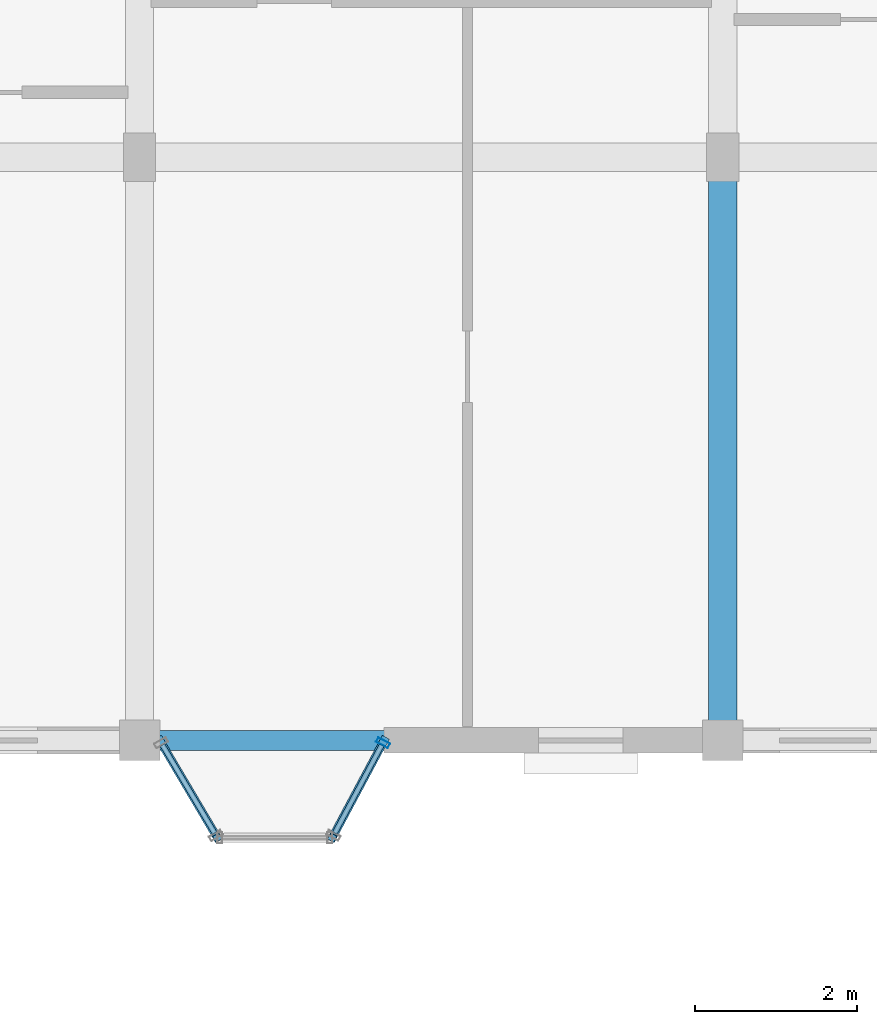
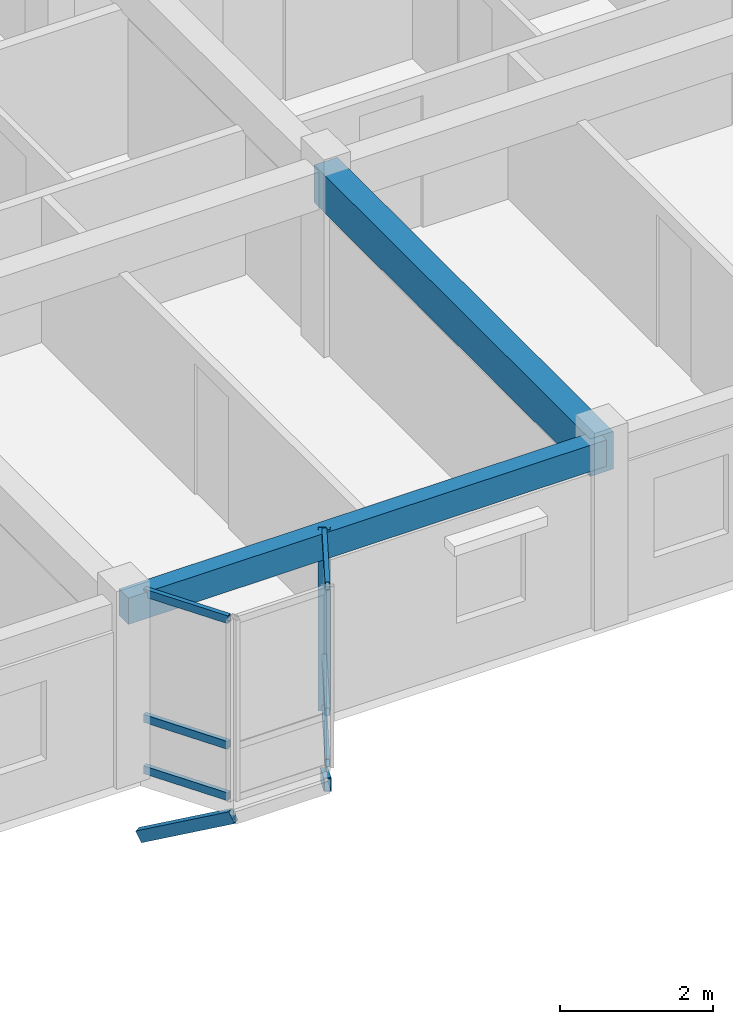
# One storey, part 30 of 70: 9 members, 2 beams, 2 elements without a shape of their own.
"""IFC4 building model written with IfcOpenShell, lengths in metres."""

from ifc_helpers import new_model, si_unit, direction, frame, origin, origin_2d, place, context, subcontext, project, spatial, rectangle, hollow_rectangle, extrude, material, layer, layer_set, material_profile, profile_set, type_object, element, aggregate, save


model = new_model("IFC4")

# Units and contexts
model_context = context("Model", 3, precision=1e-05, world=origin(), true_north=direction((0.0, 1.0)))
body_context = subcontext(model_context, "Body", "Model", "MODEL_VIEW")
ifc_project = project(units=[si_unit("LENGTHUNIT", "METRE"), si_unit("AREAUNIT", "SQUARE_METRE"), si_unit("VOLUMEUNIT", "CUBIC_METRE"), si_unit("PLANEANGLEUNIT", "RADIAN"), si_unit("MASSUNIT", "GRAM", prefix="KILO"), si_unit("THERMODYNAMICTEMPERATUREUNIT", "KELVIN"), si_unit("POWERUNIT", "WATT")], contexts=[model_context])

# Site, building, storey
site_placement = place(None, origin())
site = spatial("IfcSite", under=ifc_project, at=site_placement, CompositionType="ELEMENT")
building_placement = place(site_placement, origin())
building = spatial("IfcBuilding", under=site, at=building_placement, Name="Tavuni Mirador Residences", CompositionType="ELEMENT")
storey_placement = place(building_placement, frame((0.0, 0.0, 23.39990234375)))
storey = spatial("IfcBuildingStorey", under=building, at=storey_placement, Name="L07", CompositionType="ELEMENT", Elevation=23.39990234375)

# Beams
ifc_material_1 = material(Name="Precast concrete C40/50", Category="concrete")
ifc_material_profile_1 = material_profile(ifc_material_1, rectangle(XDim=0.35009765625, YDim=0.60009765625, at=origin_2d()), Name="PC 350x600", Category="concrete")
ifc_profile_set_1 = profile_set([ifc_material_profile_1], Name="Precast concrete C40/50")
beam_type_1 = type_object("IfcBeamType", Name="BT-B600", PredefinedType="BEAM", material=ifc_profile_set_1)
beam_1_placement = place(storey_placement, frame((25.199951171875, 144.0, 2.585205078125), z_axis=(0.0, 1.0, 0.0), x_axis=(-1.0, 0.0, 0.0)))
element("IfcBeam", 1, at=beam_1_placement, inside=storey, type_object=beam_type_1, Name="BMY-BLK-C-L07-02-00", PredefinedType="BEAM", context=body_context, shape_type="SweptSolid", body=[
    extrude(rectangle(XDim=0.35009765625, YDim=0.60009765625, at=origin_2d()), origin(), (0.0, 0.0, 1.0), 7.199951171875),
])
ifc_material_profile_2 = material_profile(ifc_material_1, rectangle(XDim=0.25, YDim=0.419921875, at=origin_2d()), Name="PC 250x420", Category="concrete")
ifc_profile_set_2 = profile_set([ifc_material_profile_2], Name="Precast concrete C40/50")
beam_type_2 = type_object("IfcBeamType", Name="BT-SP420", PredefinedType="SPANDREL", material=ifc_profile_set_2)
beam_2_placement = place(storey_placement, frame((18.0, 144.0, 2.675048828125), z_axis=(1.0, 0.0, 0.0), x_axis=(0.0, 1.0, 0.0)))
element("IfcBeam", 2, at=beam_2_placement, inside=storey, type_object=beam_type_2, Name="BMX-BLK-C-L07-01-00", PredefinedType="SPANDREL", context=body_context, shape_type="SweptSolid", body=[
    extrude(rectangle(XDim=0.25, YDim=0.419921875, at=origin_2d()), origin(), (0.0, 0.0, 1.0), 7.199951171875),
])

# Curtain wall, member
ifc_material_2 = material(Name="Anodised aluminium", Category="aluminium")
ifc_layer_1 = layer(ifc_material_2, 0.14990234375, Name="Anodised aluminium", Category="aluminium")
ifc_layer_set_1 = layer_set([ifc_layer_1], Name="Anodised aluminium")
curtain_wall_type_1 = type_object("IfcCurtainWallType", Name="CWT-MIR-B", PredefinedType="NOTDEFINED", material=ifc_layer_set_1)
curtain_wall_1_placement = place(storey_placement, origin())
curtain_wall_1 = element("IfcCurtainWall", 3, at=curtain_wall_1_placement, inside=storey, type_object=curtain_wall_type_1, Name="CW-MIR-C-S1-L07-M2", PredefinedType="NOTDEFINED")
ifc_material_profile_3 = material_profile(ifc_material_2, hollow_rectangle(XDim=0.06494140625, YDim=0.1650390625, WallThickness=0.00439453125, at=origin_2d()), Name="ALU 65x165x4.5", Category="aluminium")
ifc_profile_set_3 = profile_set([ifc_material_profile_3], Name="Anodised aluminium")
member_type_1 = type_object("IfcMemberType", Name="CWM-165", PredefinedType="MULLION", material=ifc_profile_set_3)
member_1_placement = place(storey_placement, frame((21.004638671875, 143.971435546875, 0.0), z_axis=(0.0, 0.0, 1.0), x_axis=(0.470588235296, 0.882352941175, 0.0)))
member_1 = element("IfcMember", 4, at=member_1_placement, type_object=member_type_1, Name="CW-02 mullion 2", PredefinedType="MULLION", context=body_context, shape_type="SweptSolid", body=[
    extrude(hollow_rectangle(XDim=0.06494140625, YDim=0.1650390625, WallThickness=0.00439453125, at=origin_2d()), origin(), (0.0, 0.0, 1.0), 2.885009765625),
])

# Curtain wall, members
ifc_layer_2 = layer(ifc_material_2, 0.159912109375, Name="Anodised aluminium", Category="aluminium")
ifc_layer_set_2 = layer_set([ifc_layer_2], Name="Anodised aluminium")
curtain_wall_type_2 = type_object("IfcCurtainWallType", Name="CWT-MIR-D", PredefinedType="NOTDEFINED", material=ifc_layer_set_2)
curtain_wall_2_placement = place(storey_placement, origin())
curtain_wall_2 = element("IfcCurtainWall", 5, at=curtain_wall_2_placement, inside=storey, type_object=curtain_wall_type_2, Name="CW-MIR-C-S1-L07-M1", PredefinedType="NOTDEFINED")
ifc_material_profile_4 = material_profile(ifc_material_2, hollow_rectangle(XDim=0.06494140625, YDim=0.125, WallThickness=0.00439453125, at=origin_2d()), Name="ALU 65x125x4.5", Category="aluminium")
ifc_profile_set_4 = profile_set([ifc_material_profile_4], Name="Anodised aluminium")
member_type_2 = type_object("IfcMemberType", Name="CWT-125", PredefinedType="USERDEFINED", material=ifc_profile_set_4)
member_2_placement = place(storey_placement, frame((18.283203125, 143.944091796875, 0.03271484375), z_axis=(0.509204147839, -0.860645766749, 0.0), x_axis=(0.860645766749, 0.509204147839, 0.0)))
member_2 = element("IfcMember", 6, at=member_2_placement, type_object=member_type_2, Name="CW-04 transom 1.1", ObjectType="TRANSOM", PredefinedType="USERDEFINED", context=body_context, shape_type="SweptSolid", body=[
    extrude(hollow_rectangle(XDim=0.06494140625, YDim=0.125, WallThickness=0.00439453125, at=origin_2d()), origin(), (0.0, 0.0, 1.0), 1.264404296875),
])
member_3_placement = place(storey_placement, frame((18.283203125, 143.944091796875, 0.85009765625), z_axis=(0.509204147839, -0.860645766749, 0.0), x_axis=(0.860645766749, 0.509204147839, 0.0)))
member_3 = element("IfcMember", 7, at=member_3_placement, type_object=member_type_2, Name="CW-04 transom 1.2", ObjectType="TRANSOM", PredefinedType="USERDEFINED", context=body_context, shape_type="SweptSolid", body=[
    extrude(hollow_rectangle(XDim=0.06494140625, YDim=0.125, WallThickness=0.00439453125, at=origin_2d()), origin(), (0.0, 0.0, 1.0), 1.264404296875),
])
member_4_placement = place(storey_placement, frame((18.283203125, 143.944091796875, 2.8525390625), z_axis=(0.509204147839, -0.860645766749, 0.0), x_axis=(0.860645766749, 0.509204147839, 0.0)))
member_4 = element("IfcMember", 8, at=member_4_placement, type_object=member_type_2, Name="CW-04 transom 1.3", ObjectType="TRANSOM", PredefinedType="USERDEFINED", context=body_context, shape_type="SweptSolid", body=[
    extrude(hollow_rectangle(XDim=0.06494140625, YDim=0.125, WallThickness=0.00439453125, at=origin_2d()), origin(), (0.0, 0.0, 1.0), 1.264404296875),
])
aggregate(curtain_wall_2, [member_2, member_3, member_4])

# Member
member_5_placement = place(storey_placement, frame((20.41064453125, 142.857421875, 0.03271484375), z_axis=(0.470639747922, 0.882325465843, 0.0), x_axis=(-0.882325465843, 0.470639747922, 0.0)))
member_5 = element("IfcMember", 9, at=member_5_placement, type_object=member_type_2, Name="CW-02 transom 1.1", ObjectType="TRANSOM", PredefinedType="USERDEFINED", context=body_context, shape_type="SweptSolid", body=[
    extrude(hollow_rectangle(XDim=0.06494140625, YDim=0.125, WallThickness=0.00439453125, at=origin_2d()), origin(), (0.0, 0.0, 1.0), 1.22998046875),
])

member_6_placement = place(storey_placement, frame((20.41064453125, 142.857421875, 0.85009765625), z_axis=(0.470639747922, 0.882325465843, 0.0), x_axis=(-0.882325465843, 0.470639747922, 0.0)))
member_6 = element("IfcMember", 10, at=member_6_placement, type_object=member_type_2, Name="CW-02 transom 1.2", ObjectType="TRANSOM", PredefinedType="USERDEFINED", context=body_context, shape_type="SweptSolid", body=[
    extrude(hollow_rectangle(XDim=0.06494140625, YDim=0.125, WallThickness=0.00439453125, at=origin_2d()), origin(), (0.0, 0.0, 1.0), 1.22998046875),
])

member_7_placement = place(storey_placement, frame((20.41064453125, 142.857421875, 2.8525390625), z_axis=(0.470639747922, 0.882325465843, 0.0), x_axis=(-0.882325465843, 0.470639747922, 0.0)))
member_7 = element("IfcMember", 11, at=member_7_placement, type_object=member_type_2, Name="CW-02 transom 1.3", ObjectType="TRANSOM", PredefinedType="USERDEFINED", context=body_context, shape_type="SweptSolid", body=[
    extrude(hollow_rectangle(XDim=0.06494140625, YDim=0.125, WallThickness=0.00439453125, at=origin_2d()), origin(), (0.0, 0.0, 1.0), 1.22998046875),
])

aggregate(curtain_wall_1, [member_1, member_5, member_6, member_7])

# Members
ifc_material_3 = material(Name="Structural steel S355", Category="steel")
ifc_material_profile_5 = material_profile(ifc_material_3, hollow_rectangle(XDim=0.10009765625, YDim=0.179931640625, WallThickness=0.008056640625, at=origin_2d()), Name="RHS 180x100x8.0", Category="steel")
ifc_profile_set_5 = profile_set([ifc_material_profile_5], Name="Structural steel S355")
member_type_3 = type_object("IfcMemberType", Name="MT-BR-RHS180", PredefinedType="BRACE", material=ifc_profile_set_5)
member_8_placement = place(storey_placement, frame((18.25, 144.0, -1.0498046875), z_axis=(0.443724340816, -0.74996737796, 0.490568691789), x_axis=(0.860644027762, 0.509207087026, 0.0)))
element("IfcMember", 12, at=member_8_placement, inside=storey, type_object=member_type_3, Name="MBRK-MIR-C-S1-L07-1", PredefinedType="BRACE", context=body_context, shape_type="SweptSolid", body=[
    extrude(hollow_rectangle(XDim=0.10009765625, YDim=0.179931640625, WallThickness=0.008056640625, at=origin_2d()), origin(), (0.0, 0.0, 1.0), 1.60009765625),
])
member_9_placement = place(storey_placement, frame((21.02001953125, 144.0, -1.0498046875), z_axis=(-0.407660536563, -0.76416915988, 0.499858361956), x_axis=(0.882303244255, -0.470681405175, 0.0)))
element("IfcMember", 13, at=member_9_placement, inside=storey, type_object=member_type_3, Name="MBRK-MIR-C-S1-L07-2", PredefinedType="BRACE", context=body_context, shape_type="SweptSolid", body=[
    extrude(hollow_rectangle(XDim=0.10009765625, YDim=0.179931640625, WallThickness=0.008056640625, at=origin_2d()), origin(), (0.0, 0.0, 1.0), 1.5703125),
])

save(model, "model.ifc")
